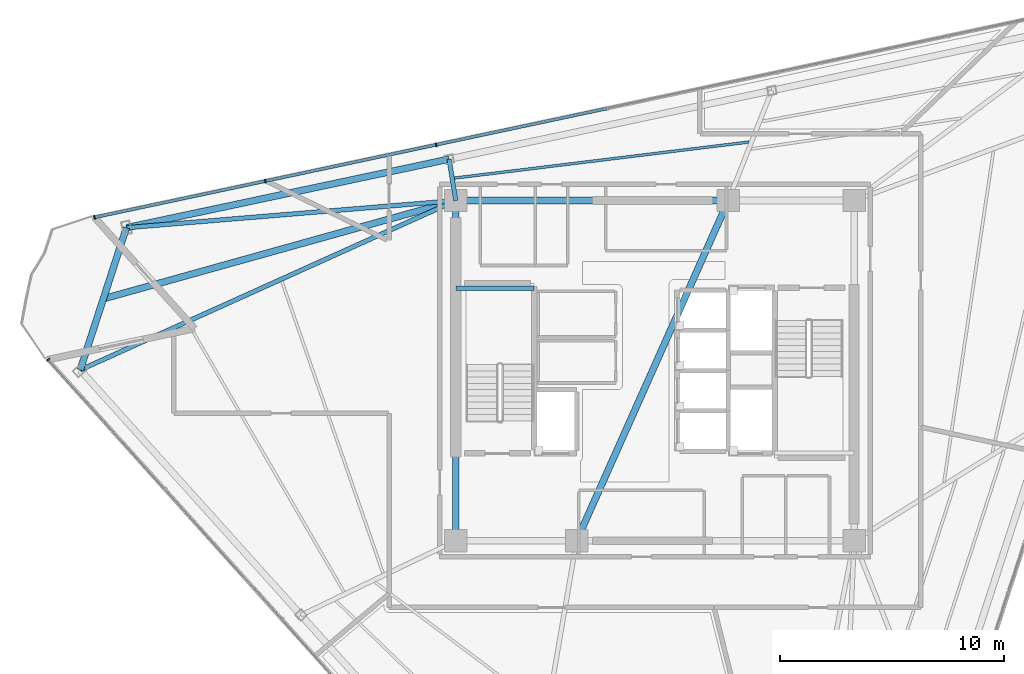
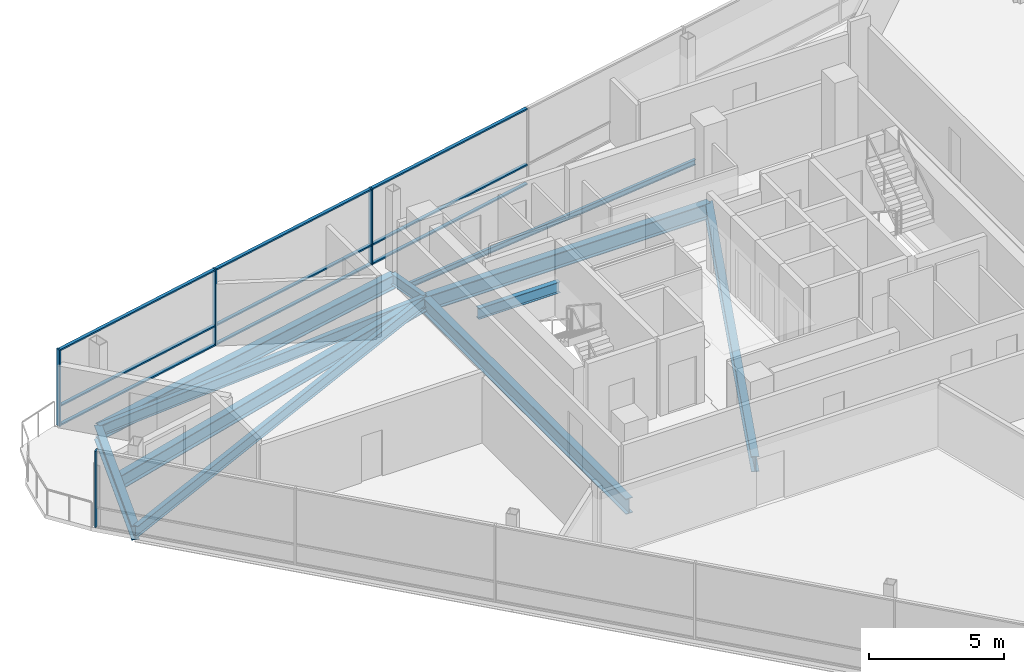
# One storey, part 6 of 15: 13 members, 11 beams, 2 elements without a shape of their own.
"""IFC4 building model written with IfcOpenShell, lengths in metres."""

from ifc_helpers import new_model, si_unit, direction, frame, origin, origin_2d, place, context, subcontext, project, spatial, rectangle, i_section, extrude, material, layer, layer_set, material_profile, profile_set, type_object, element, aggregate, save


model = new_model("IFC4")

# Units and contexts
model_context = context("Model", 3, precision=1e-05, world=origin(), true_north=direction((0.0, 1.0)))
body_context = subcontext(model_context, "Body", "Model", "MODEL_VIEW")
ifc_project = project(units=[si_unit("LENGTHUNIT", "METRE"), si_unit("AREAUNIT", "SQUARE_METRE"), si_unit("VOLUMEUNIT", "CUBIC_METRE"), si_unit("PLANEANGLEUNIT", "RADIAN"), si_unit("MASSUNIT", "GRAM", prefix="KILO")], contexts=[model_context])

# Site, building, storey
site_placement = place(None, origin())
site = spatial("IfcSite", under=ifc_project, at=site_placement, CompositionType="ELEMENT")
building_placement = place(site_placement, origin())
building = spatial("IfcBuilding", under=site, at=building_placement, Name="Tharavind Bronze Gate", CompositionType="ELEMENT")
storey_placement = place(building_placement, frame((0.0, 0.0, 283.39990234375)))
storey = spatial("IfcBuildingStorey", under=building, at=storey_placement, Name="L73", CompositionType="ELEMENT", Elevation=283.39990234375)

# Curtain wall, member
ifc_material_1 = material(Name="Anodised Bronze Aluminium", Category="aluminium")
ifc_layer = layer(ifc_material_1, 0.219970703125)
ifc_layer_set = layer_set([ifc_layer], Name="Anodised Bronze Aluminium")
curtain_wall_type = type_object("IfcCurtainWallType", Name="UNITISED CURTAIN WALL CROWN", PredefinedType="USERDEFINED", material=ifc_layer_set)
curtain_wall_1_placement = place(storey_placement, origin())
curtain_wall_1 = element("IfcCurtainWall", 1, at=curtain_wall_1_placement, inside=storey, type_object=curtain_wall_type, Name="L73 unitised curtain wall crown CW-L73-S1", ObjectType="UNITISED CURTAIN WALL", PredefinedType="USERDEFINED")
member_type_1 = type_object("IfcMemberType", Name="CURTAIN WALL BRONZE MULLION 65X180", PredefinedType="MULLION", material=ifc_material_1)
member_1_placement = place(storey_placement, frame((-27.105224609375, 0.4951171875, 0.0), z_axis=(0.0, 0.0, 1.0), x_axis=(0.669130606359, -0.743144825477, 0.0)))
member_1 = element("IfcMember", 2, at=member_1_placement, type_object=member_type_1, Name="CW-L73-S1 mullion 1", PredefinedType="MULLION", context=body_context, shape_type="SweptSolid", body=[
    extrude(rectangle(XDim=0.06494140625, YDim=0.179931640625, at=origin_2d()), origin(), (0.0, 0.0, 1.0), 3.465087890625),
])
aggregate(curtain_wall_1, [member_1])

# Curtain wall, members
curtain_wall_2_placement = place(storey_placement, origin())
curtain_wall_2 = element("IfcCurtainWall", 3, at=curtain_wall_2_placement, inside=storey, type_object=curtain_wall_type, Name="L73 unitised curtain wall crown CW-L73-S3", ObjectType="UNITISED CURTAIN WALL", PredefinedType="USERDEFINED")
member_2_placement = place(storey_placement, frame((-9.776611328125, 10.0927734375, 0.0), z_axis=(0.0, 0.0, 1.0), x_axis=(-0.978147237858, -0.207913398007, 0.0)))
member_2 = element("IfcMember", 4, at=member_2_placement, type_object=member_type_1, Name="CW-L73-S3 mullion 5", PredefinedType="MULLION", context=body_context, shape_type="SweptSolid", body=[
    extrude(rectangle(XDim=0.06494140625, YDim=0.179931640625, at=origin_2d()), origin(), (0.0, 0.0, 1.0), 3.465087890625),
])
member_3_placement = place(storey_placement, frame((-17.408935546875, 8.470458984375, 0.0), z_axis=(0.0, 0.0, 1.0), x_axis=(-0.978147237858, -0.207913398007, 0.0)))
member_3 = element("IfcMember", 5, at=member_3_placement, type_object=member_type_1, Name="CW-L73-S3 mullion 6", PredefinedType="MULLION", context=body_context, shape_type="SweptSolid", body=[
    extrude(rectangle(XDim=0.06494140625, YDim=0.179931640625, at=origin_2d()), origin(), (0.0, 0.0, 1.0), 3.465087890625),
])
member_4_placement = place(storey_placement, frame((-25.041015625, 6.84814453125, 0.0), z_axis=(0.0, 0.0, 1.0), x_axis=(-0.978147237858, -0.207913398007, 0.0)))
member_4 = element("IfcMember", 6, at=member_4_placement, type_object=member_type_1, Name="CW-L73-S3 mullion 7", PredefinedType="MULLION", context=body_context, shape_type="SweptSolid", body=[
    extrude(rectangle(XDim=0.06494140625, YDim=0.179931640625, at=origin_2d()), origin(), (0.0, 0.0, 1.0), 3.465087890625),
])
member_type_2 = type_object("IfcMemberType", Name="CURTAIN WALL BRONZE TRANSOM 65X140", PredefinedType="USERDEFINED", material=ifc_material_1)
member_5_placement = place(storey_placement, frame((-5.960693359375, 10.90380859375, 0.000244140625), z_axis=(0.0, 0.0, 1.0), x_axis=(-0.978147237858, -0.207913398007, 0.0)))
member_5 = element("IfcMember", 7, at=member_5_placement, type_object=member_type_2, Name="CW-L73-S3 transom TB4", ObjectType="TRANSOM", PredefinedType="USERDEFINED", context=body_context, shape_type="SweptSolid", body=[
    extrude(rectangle(XDim=7.749755859375, YDim=0.139892578125, at=origin_2d()), origin(), (0.0, 0.0, 1.0), 0.06494140625),
])
member_6_placement = place(storey_placement, frame((-5.960693359375, 10.90380859375, 0.86767578125), z_axis=(0.0, 0.0, 1.0), x_axis=(-0.978147237858, -0.207913398007, 0.0)))
member_6 = element("IfcMember", 8, at=member_6_placement, type_object=member_type_2, Name="CW-L73-S3 transom TS4", ObjectType="TRANSOM", PredefinedType="USERDEFINED", context=body_context, shape_type="SweptSolid", body=[
    extrude(rectangle(XDim=7.749755859375, YDim=0.139892578125, at=origin_2d()), origin(), (0.0, 0.0, 1.0), 0.06494140625),
])
member_7_placement = place(storey_placement, frame((-5.960693359375, 10.90380859375, 3.400146484375), z_axis=(0.0, 0.0, 1.0), x_axis=(-0.978147237858, -0.207913398007, 0.0)))
member_7 = element("IfcMember", 9, at=member_7_placement, type_object=member_type_2, Name="CW-L73-S3 transom TT4", ObjectType="TRANSOM", PredefinedType="USERDEFINED", context=body_context, shape_type="SweptSolid", body=[
    extrude(rectangle(XDim=7.749755859375, YDim=0.139892578125, at=origin_2d()), origin(), (0.0, 0.0, 1.0), 0.06494140625),
])
member_8_placement = place(storey_placement, frame((-13.5927734375, 9.281494140625, 0.000244140625), z_axis=(0.0, 0.0, 1.0), x_axis=(-0.978147237858, -0.207913398007, 0.0)))
member_8 = element("IfcMember", 10, at=member_8_placement, type_object=member_type_2, Name="CW-L73-S3 transom TB5", ObjectType="TRANSOM", PredefinedType="USERDEFINED", context=body_context, shape_type="SweptSolid", body=[
    extrude(rectangle(XDim=7.749755859375, YDim=0.139892578125, at=origin_2d()), origin(), (0.0, 0.0, 1.0), 0.06494140625),
])
member_9_placement = place(storey_placement, frame((-13.5927734375, 9.281494140625, 0.86767578125), z_axis=(0.0, 0.0, 1.0), x_axis=(-0.978147237858, -0.207913398007, 0.0)))
member_9 = element("IfcMember", 11, at=member_9_placement, type_object=member_type_2, Name="CW-L73-S3 transom TS5", ObjectType="TRANSOM", PredefinedType="USERDEFINED", context=body_context, shape_type="SweptSolid", body=[
    extrude(rectangle(XDim=7.749755859375, YDim=0.139892578125, at=origin_2d()), origin(), (0.0, 0.0, 1.0), 0.06494140625),
])
member_10_placement = place(storey_placement, frame((-13.5927734375, 9.281494140625, 3.400146484375), z_axis=(0.0, 0.0, 1.0), x_axis=(-0.978147237858, -0.207913398007, 0.0)))
member_10 = element("IfcMember", 12, at=member_10_placement, type_object=member_type_2, Name="CW-L73-S3 transom TT5", ObjectType="TRANSOM", PredefinedType="USERDEFINED", context=body_context, shape_type="SweptSolid", body=[
    extrude(rectangle(XDim=7.749755859375, YDim=0.139892578125, at=origin_2d()), origin(), (0.0, 0.0, 1.0), 0.06494140625),
])
member_11_placement = place(storey_placement, frame((-21.22509765625, 7.6591796875, 0.000244140625), z_axis=(0.0, 0.0, 1.0), x_axis=(-0.978147237858, -0.207913398007, 0.0)))
member_11 = element("IfcMember", 13, at=member_11_placement, type_object=member_type_2, Name="CW-L73-S3 transom TB6", ObjectType="TRANSOM", PredefinedType="USERDEFINED", context=body_context, shape_type="SweptSolid", body=[
    extrude(rectangle(XDim=7.749755859375, YDim=0.139892578125, at=origin_2d()), origin(), (0.0, 0.0, 1.0), 0.06494140625),
])
member_12_placement = place(storey_placement, frame((-21.22509765625, 7.6591796875, 0.86767578125), z_axis=(0.0, 0.0, 1.0), x_axis=(-0.978147237858, -0.207913398007, 0.0)))
member_12 = element("IfcMember", 14, at=member_12_placement, type_object=member_type_2, Name="CW-L73-S3 transom TS6", ObjectType="TRANSOM", PredefinedType="USERDEFINED", context=body_context, shape_type="SweptSolid", body=[
    extrude(rectangle(XDim=7.749755859375, YDim=0.139892578125, at=origin_2d()), origin(), (0.0, 0.0, 1.0), 0.06494140625),
])
member_13_placement = place(storey_placement, frame((-21.22509765625, 7.6591796875, 3.400146484375), z_axis=(0.0, 0.0, 1.0), x_axis=(-0.978147237858, -0.207913398007, 0.0)))
member_13 = element("IfcMember", 15, at=member_13_placement, type_object=member_type_2, Name="CW-L73-S3 transom TT6", ObjectType="TRANSOM", PredefinedType="USERDEFINED", context=body_context, shape_type="SweptSolid", body=[
    extrude(rectangle(XDim=7.749755859375, YDim=0.139892578125, at=origin_2d()), origin(), (0.0, 0.0, 1.0), 0.06494140625),
])
aggregate(curtain_wall_2, [member_2, member_3, member_4, member_5, member_6, member_7, member_8, member_9, member_10, member_11, member_12, member_13])

# Beams
ifc_material_2 = material(Name="Steel S355", Category="steel")
ifc_material_profile_1 = material_profile(ifc_material_2, i_section(OverallWidth=0.300048828125, OverallDepth=0.64990234375, WebThickness=0.01611328125, FlangeThickness=0.031005859375, at=origin_2d()), Name="HE650B")
ifc_profile_set_1 = profile_set([ifc_material_profile_1], Name="Steel S355")
beam_type_1 = type_object("IfcBeamType", Name="PRIMARY GIRDER HE650B", PredefinedType="USERDEFINED", material=ifc_profile_set_1)
beam_1_placement = place(storey_placement, frame((-9.197265625, 9.44921875, -0.510009765625), z_axis=(-0.97814794647, -0.207910064249, 0.0), x_axis=(0.207910064249, -0.97814794647, 0.0)))
element("IfcBeam", 16, at=beam_1_placement, inside=storey, type_object=beam_type_1, Name="L73 primary girder he650b BM-L73-PRG11", ObjectType="GIRDER", PredefinedType="USERDEFINED", context=body_context, shape_type="SweptSolid", body=[
    extrude(i_section(OverallWidth=0.300048828125, OverallDepth=0.64990234375, WebThickness=0.01611328125, FlangeThickness=0.031005859375, at=origin_2d()), origin(), (0.0, 0.0, 1.0), 14.7392578125),
])
beam_2_placement = place(storey_placement, frame((-23.614501953125, 6.384765625, -0.510009765625), z_axis=(-0.309014999798, -0.95105716437, 0.0), x_axis=(0.95105716437, -0.309014999798, 0.0)))
element("IfcBeam", 17, at=beam_2_placement, inside=storey, type_object=beam_type_1, Name="L73 primary girder he650b BM-L73-PRG12", ObjectType="GIRDER", PredefinedType="USERDEFINED", context=body_context, shape_type="SweptSolid", body=[
    extrude(i_section(OverallWidth=0.300048828125, OverallDepth=0.64990234375, WebThickness=0.01611328125, FlangeThickness=0.031005859375, at=origin_2d()), origin(), (0.0, 0.0, 1.0), 6.679931640625),
])
beam_3_placement = place(storey_placement, frame((-8.89990234375, 7.60009765625, -0.510009765625), z_axis=(-0.963236664958, -0.268654289527, 0.0), x_axis=(0.268654289527, -0.963236664958, 0.0)))
element("IfcBeam", 18, at=beam_3_placement, inside=storey, type_object=beam_type_1, Name="L73 primary girder he650b BM-L73-BLCSB", ObjectType="GIRDER", PredefinedType="USERDEFINED", context=body_context, shape_type="SweptSolid", body=[
    extrude(i_section(OverallWidth=0.300048828125, OverallDepth=0.64990234375, WebThickness=0.01611328125, FlangeThickness=0.031005859375, at=origin_2d()), origin(), (0.0, 0.0, 1.0), 16.34765625),
])
ifc_material_profile_2 = material_profile(ifc_material_2, i_section(OverallWidth=0.199951171875, OverallDepth=0.5, WebThickness=0.01025390625, FlangeThickness=0.01611328125, at=origin_2d()), Name="IPE500")
ifc_profile_set_2 = profile_set([ifc_material_profile_2], Name="Steel S355")
beam_type_2 = type_object("IfcBeamType", Name="PRIMARY GIRDER IPE500", PredefinedType="USERDEFINED", material=ifc_profile_set_2)
beam_4_placement = place(storey_placement, frame((-8.89990234375, 3.679931640625, 1.375), z_axis=(1.0, 0.0, 0.0), x_axis=(0.0, 1.0, 0.0)))
element("IfcBeam", 19, at=beam_4_placement, inside=storey, type_object=beam_type_2, Name="L73 primary girder ipe500 BM-LD-ST1-L73-1", ObjectType="GIRDER", PredefinedType="USERDEFINED", context=body_context, shape_type="SweptSolid", body=[
    extrude(i_section(OverallWidth=0.199951171875, OverallDepth=0.5, WebThickness=0.01025390625, FlangeThickness=0.01611328125, at=origin_2d()), origin(), (0.0, 0.0, 1.0), 3.5),
])
beam_5_placement = place(storey_placement, frame((-25.6787109375, 0.03173828125, -0.434814453125), z_axis=(0.911557320277, 0.411173019361, 0.0), x_axis=(-0.411173019361, 0.911557320277, 0.0)))
element("IfcBeam", 20, at=beam_5_placement, inside=storey, type_object=beam_type_2, Name="L73 primary girder ipe500 BM-L73-RAD01", ObjectType="GIRDER", PredefinedType="USERDEFINED", context=body_context, shape_type="SweptSolid", body=[
    extrude(i_section(OverallWidth=0.199951171875, OverallDepth=0.5, WebThickness=0.01025390625, FlangeThickness=0.01611328125, at=origin_2d()), origin(), (0.0, 0.0, 1.0), 18.40673828125),
])
beam_6_placement = place(storey_placement, frame((-9.197265625, 9.44921875, -0.434814453125), z_axis=(0.15877339987, -0.987315049766, 0.0), x_axis=(0.987315049766, 0.15877339987, 0.0)))
element("IfcBeam", 21, at=beam_6_placement, inside=storey, type_object=beam_type_2, Name="L73 primary girder ipe500 BM-L73-RAD11", ObjectType="GIRDER", PredefinedType="USERDEFINED", context=body_context, shape_type="SweptSolid", body=[
    extrude(i_section(OverallWidth=0.199951171875, OverallDepth=0.5, WebThickness=0.01025390625, FlangeThickness=0.01611328125, at=origin_2d()), origin(), (0.0, 0.0, 1.0), 1.872802734375),
])
beam_7_placement = place(storey_placement, frame((-23.614501953125, 6.384765625, -0.434814453125), z_axis=(0.996606499326, 0.082313337321, 0.0), x_axis=(-0.082313337321, 0.996606499326, 0.0)))
element("IfcBeam", 22, at=beam_7_placement, inside=storey, type_object=beam_type_2, Name="L73 primary girder ipe500 BM-L73-RAD12", ObjectType="GIRDER", PredefinedType="USERDEFINED", context=body_context, shape_type="SweptSolid", body=[
    extrude(i_section(OverallWidth=0.199951171875, OverallDepth=0.5, WebThickness=0.01025390625, FlangeThickness=0.01611328125, at=origin_2d()), origin(), (0.0, 0.0, 1.0), 14.7646484375),
])
ifc_material_profile_3 = material_profile(ifc_material_2, i_section(OverallWidth=0.300048828125, OverallDepth=0.699951171875, WebThickness=0.01708984375, FlangeThickness=0.031982421875, at=origin_2d()), Name="HE700B")
ifc_profile_set_3 = profile_set([ifc_material_profile_3], Name="Steel S355")
beam_type_3 = type_object("IfcBeamType", Name="RING GIRDER HE700B", PredefinedType="USERDEFINED", material=ifc_profile_set_3)
beam_8_placement = place(storey_placement, frame((3.280029296875, 7.60009765625, -0.534912109375), z_axis=(-1.0, 0.0, 0.0), x_axis=(0.0, -1.0, 0.0)))
element("IfcBeam", 23, at=beam_8_placement, inside=storey, type_object=beam_type_3, Name="L73 ring girder he700b BM-L73-CR5", ObjectType="GIRDER", PredefinedType="USERDEFINED", context=body_context, shape_type="SweptSolid", body=[
    extrude(i_section(OverallWidth=0.300048828125, OverallDepth=0.699951171875, WebThickness=0.01708984375, FlangeThickness=0.031982421875, at=origin_2d()), origin(), (0.0, 0.0, 1.0), 12.179931640625),
])
beam_9_placement = place(storey_placement, frame((-8.89990234375, 7.60009765625, -0.534912109375), z_axis=(0.0, -1.0, 0.0), x_axis=(1.0, 0.0, 0.0)))
element("IfcBeam", 24, at=beam_9_placement, inside=storey, type_object=beam_type_3, Name="L73 ring girder he700b BM-L73-CR6", ObjectType="GIRDER", PredefinedType="USERDEFINED", context=body_context, shape_type="SweptSolid", body=[
    extrude(i_section(OverallWidth=0.300048828125, OverallDepth=0.699951171875, WebThickness=0.01708984375, FlangeThickness=0.031982421875, at=origin_2d()), origin(), (0.0, 0.0, 1.0), 15.2001953125),
])
beam_10_placement = place(storey_placement, frame((-3.5, -7.60009765625, -0.534912109375), z_axis=(0.407361644566, 0.913266932795, 0.0), x_axis=(-0.913266932795, 0.407361644566, 0.0)))
element("IfcBeam", 25, at=beam_10_placement, inside=storey, type_object=beam_type_3, Name="L73 ring girder he700b BM-L73-CR7", ObjectType="GIRDER", PredefinedType="USERDEFINED", context=body_context, shape_type="SweptSolid", body=[
    extrude(i_section(OverallWidth=0.300048828125, OverallDepth=0.699951171875, WebThickness=0.01708984375, FlangeThickness=0.031982421875, at=origin_2d()), origin(), (0.0, 0.0, 1.0), 16.643798828125),
])
ifc_material_profile_4 = material_profile(ifc_material_2, i_section(OverallWidth=0.1201171875, OverallDepth=0.239990234375, WebThickness=0.006103515625, FlangeThickness=0.009765625, at=origin_2d()), Name="IPE240")
ifc_profile_set_4 = profile_set([ifc_material_profile_4], Name="Steel S355")
beam_type_4 = type_object("IfcBeamType", Name="SECONDARY FLOOR JOIST IPE240", PredefinedType="JOIST", material=ifc_profile_set_4)
beam_11_placement = place(storey_placement, frame((4.200927734375, 10.214599609375, -0.304931640625), z_axis=(-0.992572551394, -0.121654141807, 0.0), x_axis=(0.121654141807, -0.992572551394, 0.0)))
element("IfcBeam", 26, at=beam_11_placement, inside=storey, type_object=beam_type_4, Name="L73 secondary floor joist ipe240 BM-L73-JSTA10", PredefinedType="JOIST", context=body_context, shape_type="SweptSolid", body=[
    extrude(i_section(OverallWidth=0.1201171875, OverallDepth=0.239990234375, WebThickness=0.006103515625, FlangeThickness=0.009765625, at=origin_2d()), origin(), (0.0, 0.0, 1.0), 13.255126953125),
])

save(model, "model.ifc")
